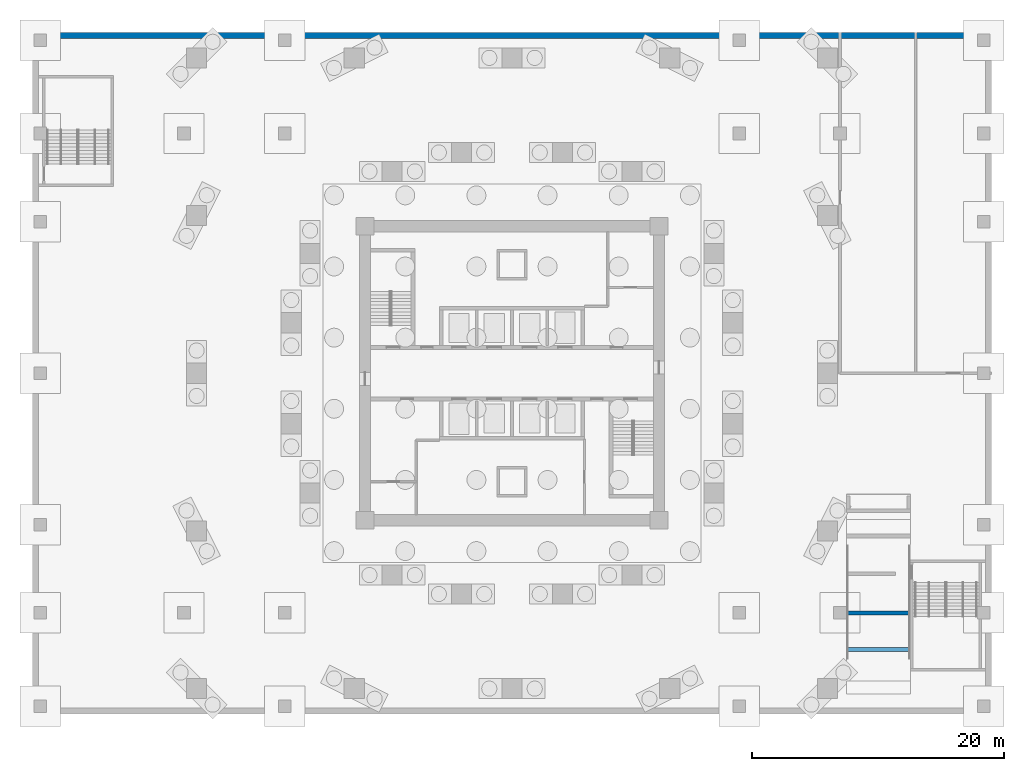
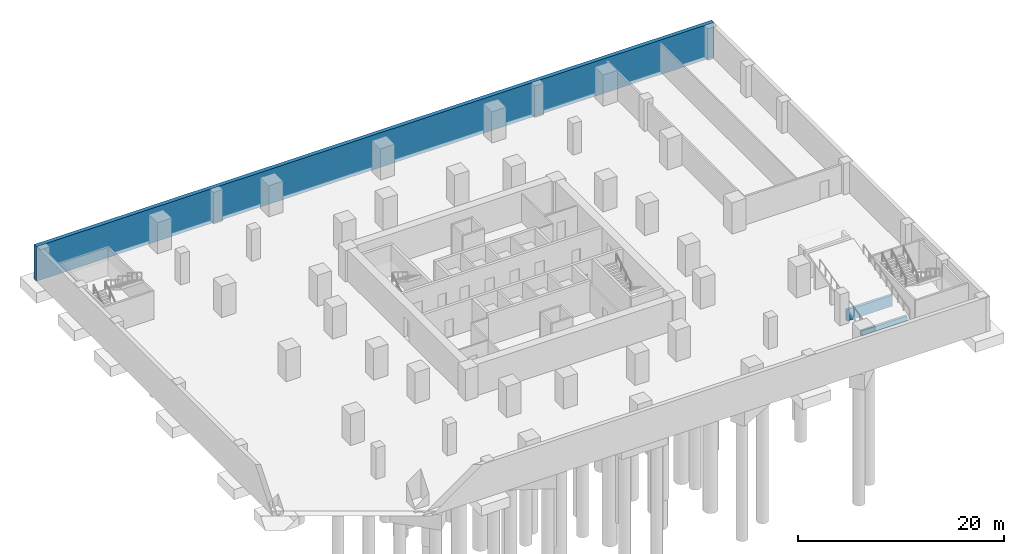
# One storey, part 6 of 11: 3 walls.
"""IFC4 building model written with IfcOpenShell, lengths in metres."""

from ifc_helpers import new_model, si_unit, direction, frame, frame_2d, origin, place, context, subcontext, project, spatial, rectangle, extrude, material, layer, layer_set, type_object, element, save


model = new_model("IFC4")

# Units and contexts
model_context = context("Model", 3, precision=1e-05, world=origin(), true_north=direction((0.0, 1.0)))
body_context = subcontext(model_context, "Body", "Model", "MODEL_VIEW")
ifc_project = project(units=[si_unit("LENGTHUNIT", "METRE"), si_unit("AREAUNIT", "SQUARE_METRE"), si_unit("VOLUMEUNIT", "CUBIC_METRE"), si_unit("PLANEANGLEUNIT", "RADIAN"), si_unit("MASSUNIT", "GRAM", prefix="KILO")], contexts=[model_context])

# Site, building, storey
site_placement = place(None, origin())
site = spatial("IfcSite", under=ifc_project, at=site_placement, CompositionType="ELEMENT")
building_placement = place(site_placement, origin())
building = spatial("IfcBuilding", under=site, at=building_placement, Name="Torsade Residences", CompositionType="ELEMENT")
storey_placement = place(building_placement, frame((0.0, 0.0, -7.39990234375)))
storey = spatial("IfcBuildingStorey", under=building, at=storey_placement, Name="B2", CompositionType="ELEMENT", Elevation=-7.39990234375)

# Walls
ifc_material_1 = material(Name="Concrete 50 MPa", Category="concrete")
ifc_layer_1 = layer(ifc_material_1, 0.449951171875)
ifc_layer_set_1 = layer_set([ifc_layer_1], Name="Concrete 50 MPa")
wall_type_1 = type_object("IfcWallType", Name="BASEMENT RETAINING WALL 450", PredefinedType="SHEAR", material=ifc_layer_set_1)
wall_1_placement = place(storey_placement, frame((78.0, 56.77490234375, -0.400146484375), z_axis=(0.0, 0.0, 1.0), x_axis=(-1.0, 0.0, 0.0)))
element("IfcWall", 1, at=wall_1_placement, inside=storey, type_object=wall_type_1, Name="Retaining wall N B2", PredefinedType="SHEAR", context=body_context, shape_type="SweptSolid", body=[
    extrude(rectangle(XDim=76.0, YDim=0.449951171875, at=frame_2d((38.0, 0.0))), origin(), (0.0, 0.0, 1.0), 4.10009765625),
])
ifc_material_2 = material(Name="Concrete 80 MPa", Category="concrete")
ifc_layer_2 = layer(ifc_material_2, 0.300048828125)
ifc_layer_set_2 = layer_set([ifc_layer_2], Name="Concrete 80 MPa")
wall_type_2 = type_object("IfcWallType", Name="CAR PARK RAMP SUPPORT WALL 300", PredefinedType="SHEAR", material=ifc_layer_set_2)
wall_2_placement = place(storey_placement, frame((66.5, 8.10009765625, 0.0), z_axis=(0.0, 0.0, 1.0), x_axis=(1.0, 0.0, 0.0)))
element("IfcWall", 2, at=wall_2_placement, inside=storey, type_object=wall_type_2, Name="Car park ramp R1 support wall 1", PredefinedType="SHEAR", context=body_context, shape_type="SweptSolid", body=[
    extrude(rectangle(XDim=5.10009765625, YDim=0.300048828125, at=frame_2d((2.550048828125, 0.0))), origin(), (0.0, 0.0, 1.0), 0.590087890625),
])
wall_3_placement = place(storey_placement, frame((66.5, 11.0, 0.0), z_axis=(0.0, 0.0, 1.0), x_axis=(1.0, 0.0, 0.0)))
element("IfcWall", 3, at=wall_3_placement, inside=storey, type_object=wall_type_2, Name="Car park ramp R1 support wall 2", PredefinedType="SHEAR", context=body_context, shape_type="SweptSolid", body=[
    extrude(rectangle(XDim=5.10009765625, YDim=0.300048828125, at=frame_2d((2.550048828125, 0.0))), origin(), (0.0, 0.0, 1.0), 1.31494140625),
])

save(model, "model.ifc")
